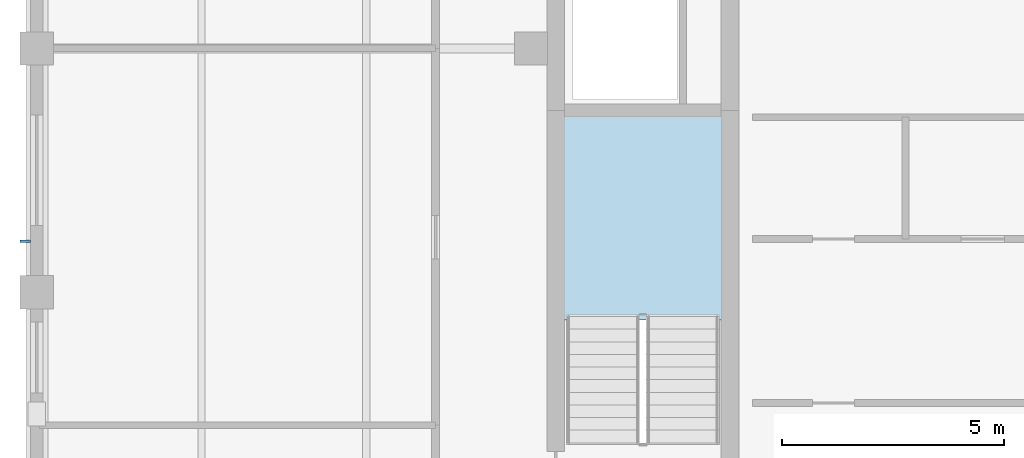
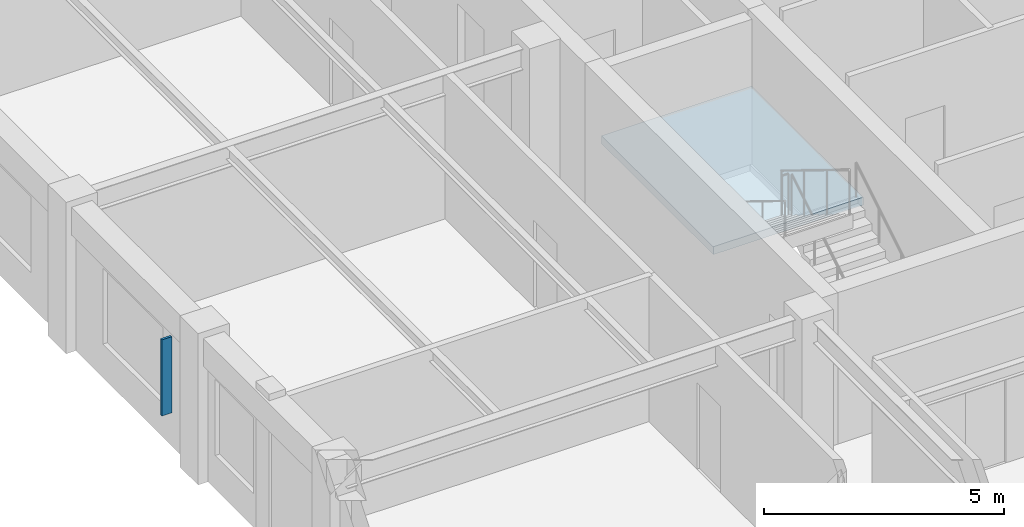
# One storey, part 2 of 9: 1 plate, 1 slab, 1 element without a shape of its own.
"""IFC4 building model written with IfcOpenShell, lengths in metres."""

from ifc_helpers import new_model, si_unit, direction, frame, origin, origin_2d, place, context, subcontext, project, spatial, polyline, rectangle, outline, extrude, material, layer, layer_set, type_object, element, aggregate, save


model = new_model("IFC4")

# Units and contexts
model_context = context("Model", 3, precision=1e-05, world=origin(), true_north=direction((0.0, 1.0)))
body_context = subcontext(model_context, "Body", "Model", "MODEL_VIEW")
ifc_project = project(units=[si_unit("LENGTHUNIT", "METRE"), si_unit("AREAUNIT", "SQUARE_METRE"), si_unit("VOLUMEUNIT", "CUBIC_METRE"), si_unit("PLANEANGLEUNIT", "RADIAN"), si_unit("MASSUNIT", "GRAM", prefix="KILO")], contexts=[model_context])

# Site, building, storey
site_placement = place(None, origin())
site = spatial("IfcSite", under=ifc_project, at=site_placement, CompositionType="ELEMENT")
building_placement = place(site_placement, origin())
building = spatial("IfcBuilding", under=site, at=building_placement, Name="Nhamokura Convention Tower", CompositionType="ELEMENT")
storey_placement = place(building_placement, frame((0.0, 0.0, 269.85009765625)))
storey = spatial("IfcBuildingStorey", under=building, at=storey_placement, Name="L66", CompositionType="ELEMENT", Elevation=269.85009765625)

# Plate
ifc_material_1 = material(Name="Anodised bronze aluminium AA6063-T6", Category="aluminium")
plate_type = type_object("IfcPlateType", Name="BronzeSolarFin_3", PredefinedType="USERDEFINED", material=ifc_material_1)
plate_placement = place(storey_placement, frame((9.239990234375, 27.64990234375, 0.849853515625), z_axis=(0.0, 0.0, 1.0), x_axis=(1.0, 0.0, 0.0)))
element("IfcPlate", 1, at=plate_placement, inside=storey, type_object=plate_type, Name="L66 Bronze Solar Shading Fin WEST 2", ObjectType="SOLAR_FIN", PredefinedType="USERDEFINED", context=body_context, shape_type="SweptSolid", body=[
    extrude(rectangle(XDim=0.239990234375, YDim=0.06005859375, at=origin_2d()), origin(), (0.0, 0.0, 1.0), 1.93505859375),
])

# Stair, slab
ifc_material_2 = material(Name="Concrete C40/50", Category="concrete")
stair_type = type_object("IfcStairType", Name="TowerCoreStair_1650", PredefinedType="HALF_TURN_STAIR", material=ifc_material_2)
stair_placement = place(storey_placement, origin())
stair = element("IfcStair", 2, at=stair_placement, inside=storey, type_object=stair_type, Name="L66 West Core Smokeproof Stair ST-01", PredefinedType="HALF_TURN_STAIR")
ifc_material_3 = material(Name="Concrete C40/50", Category="concrete")
ifc_layer = layer(ifc_material_3, 0.199951171875)
ifc_layer_set = layer_set([ifc_layer], Name="StairLandingSlab_200")
slab_type = type_object("IfcSlabType", Name="StairLandingSlab_200", PredefinedType="LANDING", material=ifc_layer_set)
slab_placement = place(storey_placement, frame((0.0, 0.0, 1.724853515625)))
slab = element("IfcSlab", 3, at=slab_placement, type_object=slab_type, Name="ST-01 landing 1", PredefinedType="LANDING", context=body_context, shape_type="SweptSolid", body=[
    extrude(outline(polyline([(24.97998046875, 25.8701171875), (24.97998046875, 30.530029296875), (21.3701171875, 30.530029296875), (21.3701171875, 25.8701171875), (24.97998046875, 25.8701171875)])), origin(), (0.0, 0.0, 1.0), 0.199951171875),
])
aggregate(stair, [slab])

save(model, "model.ifc")
